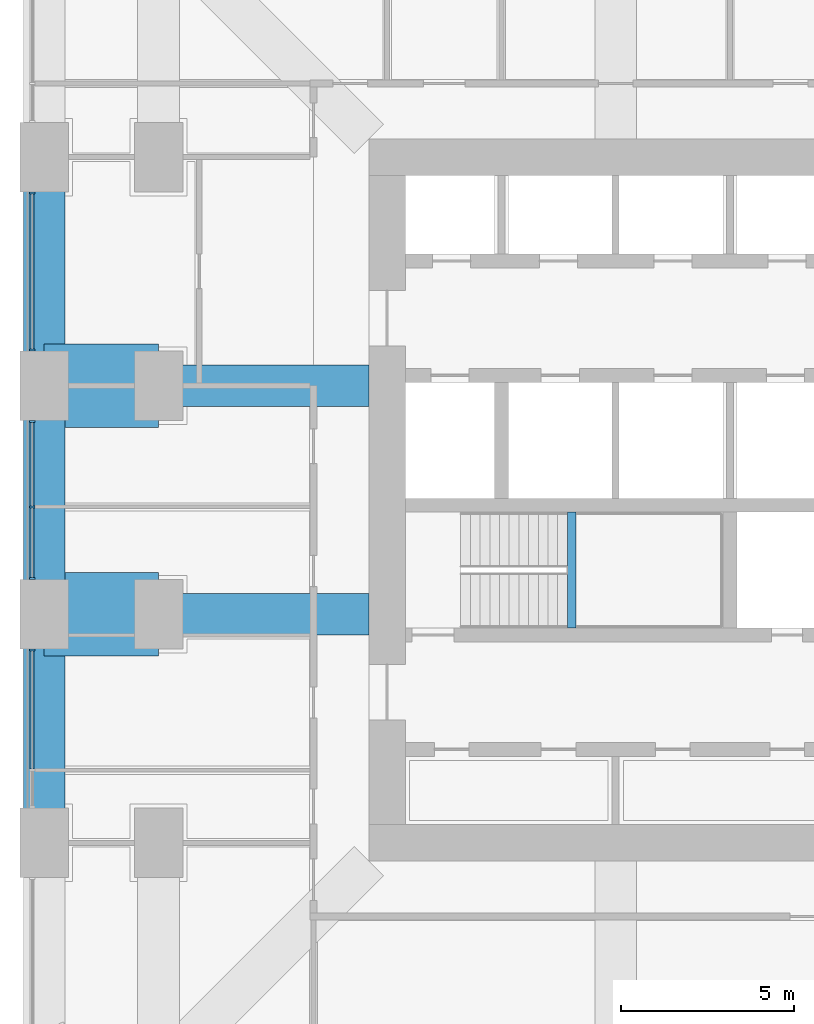
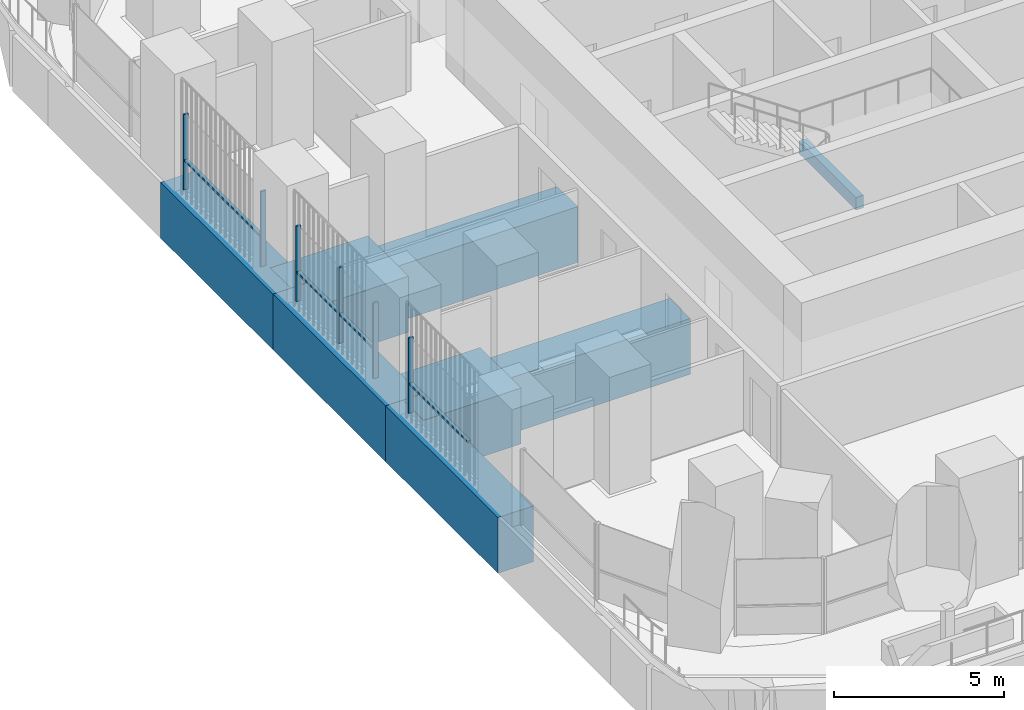
# One storey, part 4 of 22: 10 members, 8 beams, 3 elements without a shape of their own.
"""IFC4 building model written with IfcOpenShell, lengths in metres."""

from ifc_helpers import new_model, si_unit, direction, frame, origin, origin_2d, place, context, subcontext, project, spatial, rectangle, extrude, material, material_profile, profile_set, type_object, element, aggregate, save


model = new_model("IFC4")

# Units and contexts
model_context = context("Model", 3, precision=1e-05, world=origin(), true_north=direction((0.0, 1.0)))
body_context = subcontext(model_context, "Body", "Model", "MODEL_VIEW")
ifc_project = project(units=[si_unit("LENGTHUNIT", "METRE"), si_unit("AREAUNIT", "SQUARE_METRE"), si_unit("VOLUMEUNIT", "CUBIC_METRE"), si_unit("PLANEANGLEUNIT", "RADIAN"), si_unit("MASSUNIT", "GRAM", prefix="KILO")], contexts=[model_context])

# Site, building, storey
site_placement = place(None, origin())
site = spatial("IfcSite", under=ifc_project, at=site_placement, CompositionType="ELEMENT")
building_placement = place(site_placement, origin())
building = spatial("IfcBuilding", under=site, at=building_placement, Name="Cobogo Forest Laboratory Tower", CompositionType="ELEMENT")
storey_placement = place(building_placement, frame((0.0, 0.0, 155.699951171875)))
storey = spatial("IfcBuildingStorey", under=building, at=storey_placement, Name="L35", CompositionType="ELEMENT", Elevation=155.699951171875)

# Beam
ifc_material_1 = material(Name="Concrete HA-40 (C40/50)", Category="concrete")
ifc_material_profile_1 = material_profile(ifc_material_1, rectangle(XDim=0.25, YDim=0.449951171875, at=origin_2d()), Name="RC 250x450")
ifc_profile_set_1 = profile_set([ifc_material_profile_1], Name="Concrete HA-40 (C40/50)")
beam_type_1 = type_object("IfcBeamType", Name="LB1 landing beam 250x450", PredefinedType="BEAM", material=ifc_profile_set_1)
beam_1_placement = place(storey_placement, frame((18.530029296875, 19.39990234375, 1.675048828125), z_axis=(0.0, 1.0, 0.0), x_axis=(-1.0, 0.0, 0.0)))
element("IfcBeam", 1, at=beam_1_placement, inside=storey, type_object=beam_type_1, Name="Landing beam ST1 L35", PredefinedType="BEAM", context=body_context, shape_type="SweptSolid", body=[
    extrude(rectangle(XDim=0.25, YDim=0.449951171875, at=origin_2d()), origin(), (0.0, 0.0, 1.0), 3.35009765625),
])

# Curtain wall, members
ifc_material_2 = material(Name="Aluminium curtain wall", Category="aluminium")
curtain_wall_type = type_object("IfcCurtainWallType", Name="CW-2 unitised curtain wall, solar control glazing, laboratory floors zones C and D", PredefinedType="USERDEFINED", material=ifc_material_2)
curtain_wall_1_placement = place(storey_placement, origin())
curtain_wall_1 = element("IfcCurtainWall", 2, at=curtain_wall_1_placement, inside=storey, type_object=curtain_wall_type, Name="Curtain wall 25 L35", ObjectType="UNITISED CURTAIN WALL", PredefinedType="USERDEFINED")
ifc_material_3 = material(Name="Aluminium mullion", Category="aluminium")
ifc_material_profile_2 = material_profile(ifc_material_3, rectangle(XDim=0.06005859375, YDim=0.159912109375, at=origin_2d()), Name="AL 60x160")
ifc_profile_set_2 = profile_set([ifc_material_profile_2], Name="Aluminium mullion")
member_type_1 = type_object("IfcMemberType", Name="MU-1 aluminium mullion 60x160", PredefinedType="MULLION", material=ifc_profile_set_2)
member_1_placement = place(storey_placement, frame((2.949951171875, 31.969970703125, 0.0), z_axis=(0.0, 0.0, 1.0), x_axis=(0.0, -1.0, 0.0)))
member_1 = element("IfcMember", 3, at=member_1_placement, type_object=member_type_1, Name="CW-2 mullion 1", PredefinedType="MULLION", context=body_context, shape_type="SweptSolid", body=[
    extrude(rectangle(XDim=0.06005859375, YDim=0.159912109375, at=origin_2d()), origin(), (0.0, 0.0, 1.0), 2.699951171875),
])
member_2_placement = place(storey_placement, frame((2.949951171875, 27.429931640625, 0.0), z_axis=(0.0, 0.0, 1.0), x_axis=(0.0, -1.0, 0.0)))
member_2 = element("IfcMember", 4, at=member_2_placement, type_object=member_type_1, Name="CW-2 mullion 2", PredefinedType="MULLION", context=body_context, shape_type="SweptSolid", body=[
    extrude(rectangle(XDim=0.06005859375, YDim=0.159912109375, at=origin_2d()), origin(), (0.0, 0.0, 1.0), 2.699951171875),
])

curtain_wall_2_placement = place(storey_placement, origin())
curtain_wall_2 = element("IfcCurtainWall", 5, at=curtain_wall_2_placement, inside=storey, type_object=curtain_wall_type, Name="Curtain wall 26 L35", ObjectType="UNITISED CURTAIN WALL", PredefinedType="USERDEFINED")
member_3_placement = place(storey_placement, frame((2.949951171875, 25.3701171875, 0.0), z_axis=(0.0, 0.0, 1.0), x_axis=(0.0, -1.0, 0.0)))
member_3 = element("IfcMember", 6, at=member_3_placement, type_object=member_type_1, Name="CW-2 mullion 1", PredefinedType="MULLION", context=body_context, shape_type="SweptSolid", body=[
    extrude(rectangle(XDim=0.06005859375, YDim=0.159912109375, at=origin_2d()), origin(), (0.0, 0.0, 1.0), 2.699951171875),
])
member_4_placement = place(storey_placement, frame((2.949951171875, 22.89990234375, 0.0), z_axis=(0.0, 0.0, 1.0), x_axis=(0.0, -1.0, 0.0)))
member_4 = element("IfcMember", 7, at=member_4_placement, type_object=member_type_1, Name="CW-2 mullion 2", PredefinedType="MULLION", context=body_context, shape_type="SweptSolid", body=[
    extrude(rectangle(XDim=0.06005859375, YDim=0.159912109375, at=origin_2d()), origin(), (0.0, 0.0, 1.0), 2.699951171875),
])
member_5_placement = place(storey_placement, frame((2.949951171875, 20.830078125, 0.0), z_axis=(0.0, 0.0, 1.0), x_axis=(0.0, -1.0, 0.0)))
member_5 = element("IfcMember", 8, at=member_5_placement, type_object=member_type_1, Name="CW-2 mullion 3", PredefinedType="MULLION", context=body_context, shape_type="SweptSolid", body=[
    extrude(rectangle(XDim=0.06005859375, YDim=0.159912109375, at=origin_2d()), origin(), (0.0, 0.0, 1.0), 2.699951171875),
])

# Curtain wall, member
curtain_wall_3_placement = place(storey_placement, origin())
curtain_wall_3 = element("IfcCurtainWall", 9, at=curtain_wall_3_placement, inside=storey, type_object=curtain_wall_type, Name="Curtain wall 27 L35", ObjectType="UNITISED CURTAIN WALL", PredefinedType="USERDEFINED")
member_6_placement = place(storey_placement, frame((2.949951171875, 18.77001953125, 0.0), z_axis=(0.0, 0.0, 1.0), x_axis=(0.0, -1.0, 0.0)))
member_6 = element("IfcMember", 10, at=member_6_placement, type_object=member_type_1, Name="CW-2 mullion 1", PredefinedType="MULLION", context=body_context, shape_type="SweptSolid", body=[
    extrude(rectangle(XDim=0.06005859375, YDim=0.159912109375, at=origin_2d()), origin(), (0.0, 0.0, 1.0), 2.699951171875),
])

# Beams
ifc_material_4 = material(Name="Concrete HA-50 (C50/60)", Category="concrete")
ifc_material_profile_3 = material_profile(ifc_material_4, rectangle(XDim=2.39990234375, YDim=2.0, at=origin_2d()), Name="RC 2400x2000")
ifc_profile_set_3 = profile_set([ifc_material_profile_3], Name="Concrete HA-50 (C50/60)")
beam_type_2 = type_object("IfcBeamType", Name="Setback floor end-bay girder 2400x2000", PredefinedType="BEAM", material=ifc_profile_set_3)
for number, where, z_axis, x_axis, name in (
    (11, (3.300048828125, 19.800048828125, -1.300048828125), (1.0, 0.0, 0.0), (0.0, 1.0, 0.0), "TG3 R-D-W-X L35"),
    (12, (3.300048828125, 26.39990234375, -1.300048828125), (1.0, 0.0, 0.0), (0.0, 1.0, 0.0), "TG3 R-E-W-X L35"),
):
    element("IfcBeam", number, at=place(storey_placement, frame(where, z_axis=z_axis, x_axis=x_axis)), inside=storey, type_object=beam_type_2, Name=name, PredefinedType="BEAM", context=body_context, shape_type="SweptSolid", body=[
        extrude(rectangle(XDim=2.39990234375, YDim=2.0, at=origin_2d()), origin(), (0.0, 0.0, 1.0), 3.300048828125),
    ])
ifc_material_profile_4 = material_profile(ifc_material_1, rectangle(XDim=1.199951171875, YDim=2.0, at=origin_2d()), Name="RC 1200x2000")
ifc_profile_set_4 = profile_set([ifc_material_profile_4], Name="Concrete HA-40 (C40/50)")
beam_type_3 = type_object("IfcBeamType", Name="Setback floor girder 1200x2000", PredefinedType="BEAM", material=ifc_profile_set_4)
for number, where, z_axis, x_axis, name in (
    (13, (12.675048828125, 19.800048828125, -1.300048828125), (-1.0, 0.0, 0.0), (0.0, -1.0, 0.0), "TG2 R-D-W L35"),
    (14, (12.675048828125, 26.39990234375, -1.300048828125), (-1.0, 0.0, 0.0), (0.0, -1.0, 0.0), "TG2 R-E-W L35"),
):
    element("IfcBeam", number, at=place(storey_placement, frame(where, z_axis=z_axis, x_axis=x_axis)), inside=storey, type_object=beam_type_3, Name=name, PredefinedType="BEAM", context=body_context, shape_type="SweptSolid", body=[
        extrude(rectangle(XDim=1.199951171875, YDim=2.0, at=origin_2d()), origin(), (0.0, 0.0, 1.0), 6.074951171875),
    ])
beam_2_placement = place(storey_placement, frame((3.300048828125, 13.199951171875, -1.300048828125), z_axis=(0.0, 1.0, 0.0), x_axis=(-1.0, 0.0, 0.0)))
element("IfcBeam", 15, at=beam_2_placement, inside=storey, type_object=beam_type_3, Name="TG2 E-W2 L35", PredefinedType="BEAM", context=body_context, shape_type="SweptSolid", body=[
    extrude(rectangle(XDim=1.199951171875, YDim=2.0, at=origin_2d()), origin(), (0.0, 0.0, 1.0), 6.60009765625),
])
beam_3_placement = place(storey_placement, frame((3.300048828125, 19.800048828125, -1.300048828125), z_axis=(0.0, 1.0, 0.0), x_axis=(-1.0, 0.0, 0.0)))
element("IfcBeam", 16, at=beam_3_placement, inside=storey, type_object=beam_type_3, Name="TG2 E-W3 L35", PredefinedType="BEAM", context=body_context, shape_type="SweptSolid", body=[
    extrude(rectangle(XDim=1.199951171875, YDim=2.0, at=origin_2d()), origin(), (0.0, 0.0, 1.0), 6.599853515625),
])
beam_4_placement = place(storey_placement, frame((3.300048828125, 26.39990234375, -1.300048828125), z_axis=(0.0, 1.0, 0.0), x_axis=(-1.0, 0.0, 0.0)))
element("IfcBeam", 17, at=beam_4_placement, inside=storey, type_object=beam_type_3, Name="TG2 E-W4 L35", PredefinedType="BEAM", context=body_context, shape_type="SweptSolid", body=[
    extrude(rectangle(XDim=1.199951171875, YDim=2.0, at=origin_2d()), origin(), (0.0, 0.0, 1.0), 6.60009765625),
])

# Member
ifc_material_5 = material(Name="Aluminium transom", Category="aluminium")
ifc_material_profile_5 = material_profile(ifc_material_5, rectangle(XDim=0.1201171875, YDim=0.06005859375, at=origin_2d()), Name="AL 60x120")
ifc_profile_set_5 = profile_set([ifc_material_profile_5], Name="Aluminium transom")
member_type_2 = type_object("IfcMemberType", Name="TR-1 aluminium transom 60x120", PredefinedType="USERDEFINED", material=ifc_profile_set_5)
member_7_placement = place(storey_placement, frame((2.949951171875, 31.93994140625, 1.050048828125), z_axis=(0.0, -1.0, 0.0), x_axis=(1.0, 0.0, 0.0)))
member_7 = element("IfcMember", 18, at=member_7_placement, type_object=member_type_2, Name="CW-2 transom 1.1", ObjectType="TRANSOM", PredefinedType="USERDEFINED", context=body_context, shape_type="SweptSolid", body=[
    extrude(rectangle(XDim=0.1201171875, YDim=0.06005859375, at=origin_2d()), origin(), (0.0, 0.0, 1.0), 4.47998046875),
])

aggregate(curtain_wall_1, [member_1, member_2, member_7])

member_8_placement = place(storey_placement, frame((2.949951171875, 25.340087890625, 1.050048828125), z_axis=(0.0, -1.0, 0.0), x_axis=(1.0, 0.0, 0.0)))
member_8 = element("IfcMember", 19, at=member_8_placement, type_object=member_type_2, Name="CW-2 transom 1.1", ObjectType="TRANSOM", PredefinedType="USERDEFINED", context=body_context, shape_type="SweptSolid", body=[
    extrude(rectangle(XDim=0.1201171875, YDim=0.06005859375, at=origin_2d()), origin(), (0.0, 0.0, 1.0), 2.41015625),
])

member_9_placement = place(storey_placement, frame((2.949951171875, 22.8701171875, 1.050048828125), z_axis=(0.0, -1.0, 0.0), x_axis=(1.0, 0.0, 0.0)))
member_9 = element("IfcMember", 20, at=member_9_placement, type_object=member_type_2, Name="CW-2 transom 2.1", ObjectType="TRANSOM", PredefinedType="USERDEFINED", context=body_context, shape_type="SweptSolid", body=[
    extrude(rectangle(XDim=0.1201171875, YDim=0.06005859375, at=origin_2d()), origin(), (0.0, 0.0, 1.0), 2.010009765625),
])

aggregate(curtain_wall_2, [member_3, member_4, member_5, member_8, member_9])

member_10_placement = place(storey_placement, frame((2.949951171875, 18.739990234375, 1.050048828125), z_axis=(0.0, -1.0, 0.0), x_axis=(1.0, 0.0, 0.0)))
member_10 = element("IfcMember", 21, at=member_10_placement, type_object=member_type_2, Name="CW-2 transom 1.1", ObjectType="TRANSOM", PredefinedType="USERDEFINED", context=body_context, shape_type="SweptSolid", body=[
    extrude(rectangle(XDim=0.1201171875, YDim=0.06005859375, at=origin_2d()), origin(), (0.0, 0.0, 1.0), 3.409912109375),
])

aggregate(curtain_wall_3, [member_6, member_10])

save(model, "model.ifc")
